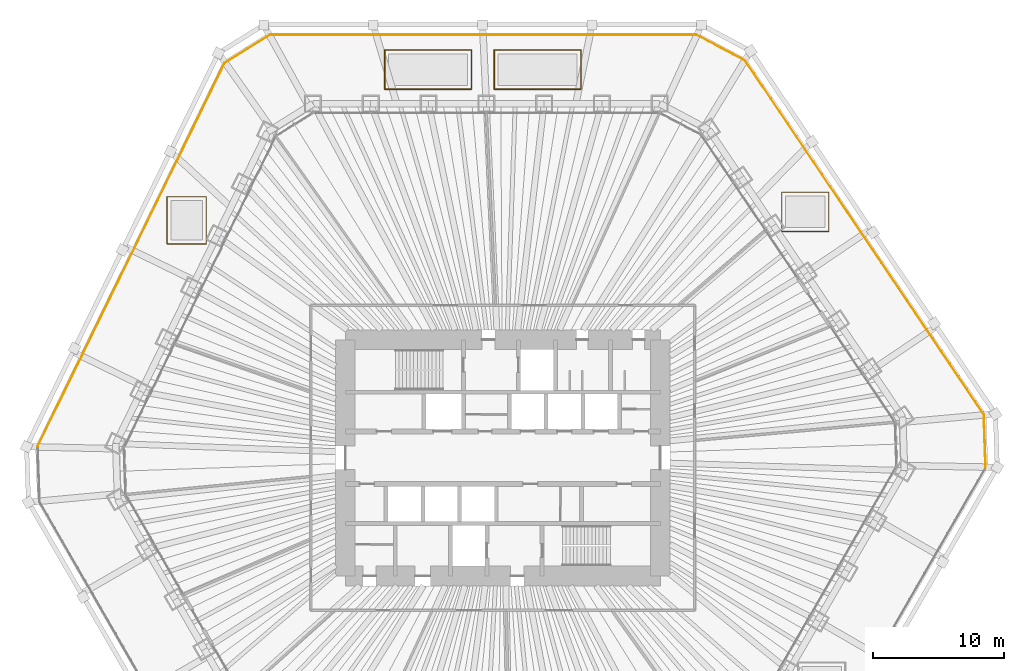
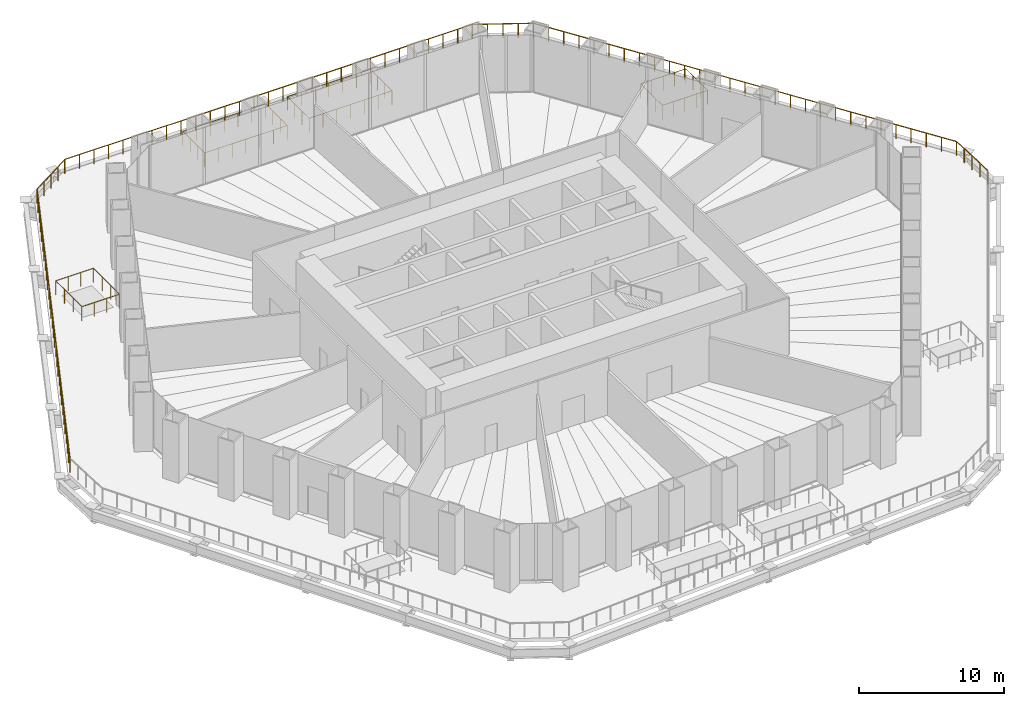
# One storey, part 19 of 20: 7 railings.
"""IFC4 building model written with IfcOpenShell, lengths in metres."""

from ifc_helpers import new_model, si_unit, direction, frame, origin, origin_2d, place, context, subcontext, project, spatial, circle, extrude, material, type_object, element, save


model = new_model("IFC4")

# Units and contexts
model_context = context("Model", 3, precision=1e-05, world=origin(), true_north=direction((0.0, 1.0)))
body_context = subcontext(model_context, "Body", "Model", "MODEL_VIEW")
ifc_project = project(units=[si_unit("LENGTHUNIT", "METRE"), si_unit("AREAUNIT", "SQUARE_METRE"), si_unit("VOLUMEUNIT", "CUBIC_METRE"), si_unit("PLANEANGLEUNIT", "RADIAN"), si_unit("MASSUNIT", "GRAM", prefix="KILO")], contexts=[model_context])

# Site, building, storey
site_placement = place(None, origin())
site = spatial("IfcSite", under=ifc_project, at=site_placement, CompositionType="ELEMENT")
building_placement = place(site_placement, origin())
building = spatial("IfcBuilding", under=site, at=building_placement, Name="Qingtian Harvest Tower", CompositionType="ELEMENT")
storey_placement = place(building_placement, frame((0.0, 0.0, 17.0)))
storey = spatial("IfcBuildingStorey", under=building, at=storey_placement, Name="L03", CompositionType="ELEMENT", Elevation=17.0)

# Railings
ifc_material_1 = material(Name="Bronze-finished steel guard", Category="steel")
railing_type_1 = type_object("IfcRailingType", Name="Rooflight guard GR3 1200", PredefinedType="GUARDRAIL", material=ifc_material_1)
railing_1_placement = place(storey_placement, frame((-9.0, 28.10009765625, 0.0)))
element("IfcRailing", 1, at=railing_1_placement, inside=storey, type_object=railing_type_1, Name="Rooflight guard GR3 N1", PredefinedType="GUARDRAIL", context=body_context, shape_type="SweptSolid", body=[
    extrude(circle(Radius=0.02392578125, at=origin_2d()), frame((0.0, 0.0, 1.17578125), z_axis=(1.0, 0.0, 0.0), x_axis=(0.0, 1.0, 0.0)), (0.0, 0.0, 1.0), 6.60009765625),
    extrude(circle(Radius=0.02392578125, at=origin_2d()), frame((6.60009765625, 0.0, 1.17578125), z_axis=(0.0, 1.0, 0.0), x_axis=(-1.0, 0.0, 0.0)), (0.0, 0.0, 1.0), 3.0),
    extrude(circle(Radius=0.02392578125, at=origin_2d()), frame((6.60009765625, 3.0, 1.17578125), z_axis=(-1.0, 0.0, 0.0), x_axis=(0.0, -1.0, 0.0)), (0.0, 0.0, 1.0), 6.60009765625),
    extrude(circle(Radius=0.02392578125, at=origin_2d()), frame((0.0, 3.0, 1.17578125), z_axis=(0.0, -1.0, 0.0), x_axis=(1.0, 0.0, 0.0)), (0.0, 0.0, 1.0), 3.0),
    extrude(circle(Radius=0.02099609375, at=origin_2d()), origin(), (0.0, 0.0, 1.0), 1.15185546875),
    extrude(circle(Radius=0.02099609375, at=origin_2d()), frame((1.10009765625, 0.0, 0.0)), (0.0, 0.0, 1.0), 1.15185546875),
    extrude(circle(Radius=0.02099609375, at=origin_2d()), frame((2.199951171875, 0.0, 0.0)), (0.0, 0.0, 1.0), 1.15185546875),
    extrude(circle(Radius=0.02099609375, at=origin_2d()), frame((3.300048828125, 0.0, 0.0)), (0.0, 0.0, 1.0), 1.15185546875),
    extrude(circle(Radius=0.02099609375, at=origin_2d()), frame((4.400146484375, 0.0, 0.0)), (0.0, 0.0, 1.0), 1.15185546875),
    extrude(circle(Radius=0.02099609375, at=origin_2d()), frame((5.5, 0.0, 0.0)), (0.0, 0.0, 1.0), 1.15185546875),
    extrude(circle(Radius=0.02099609375, at=origin_2d()), frame((6.60009765625, 0.0, 0.0)), (0.0, 0.0, 1.0), 1.15185546875),
    extrude(circle(Radius=0.02099609375, at=origin_2d()), frame((6.60009765625, 1.0, 0.0)), (0.0, 0.0, 1.0), 1.15185546875),
    extrude(circle(Radius=0.02099609375, at=origin_2d()), frame((6.60009765625, 2.0, 0.0)), (0.0, 0.0, 1.0), 1.15185546875),
    extrude(circle(Radius=0.02099609375, at=origin_2d()), frame((6.60009765625, 3.0, 0.0)), (0.0, 0.0, 1.0), 1.15185546875),
    extrude(circle(Radius=0.02099609375, at=origin_2d()), frame((5.5, 3.0, 0.0)), (0.0, 0.0, 1.0), 1.15185546875),
    extrude(circle(Radius=0.02099609375, at=origin_2d()), frame((4.400146484375, 3.0, 0.0)), (0.0, 0.0, 1.0), 1.15185546875),
    extrude(circle(Radius=0.02099609375, at=origin_2d()), frame((3.300048828125, 3.0, 0.0)), (0.0, 0.0, 1.0), 1.15185546875),
    extrude(circle(Radius=0.02099609375, at=origin_2d()), frame((2.199951171875, 3.0, 0.0)), (0.0, 0.0, 1.0), 1.15185546875),
    extrude(circle(Radius=0.02099609375, at=origin_2d()), frame((1.10009765625, 3.0, 0.0)), (0.0, 0.0, 1.0), 1.15185546875),
    extrude(circle(Radius=0.02099609375, at=origin_2d()), frame((0.0, 3.0, 0.0)), (0.0, 0.0, 1.0), 1.15185546875),
    extrude(circle(Radius=0.02099609375, at=origin_2d()), frame((0.0, 2.0, 0.0)), (0.0, 0.0, 1.0), 1.15185546875),
    extrude(circle(Radius=0.02099609375, at=origin_2d()), frame((0.0, 1.0, 0.0)), (0.0, 0.0, 1.0), 1.15185546875),
])
railing_2_placement = place(storey_placement, frame((-0.64990234375, 28.10009765625, 0.0)))
element("IfcRailing", 2, at=railing_2_placement, inside=storey, type_object=railing_type_1, Name="Rooflight guard GR3 N2", PredefinedType="GUARDRAIL", context=body_context, shape_type="SweptSolid", body=[
    extrude(circle(Radius=0.02392578125, at=origin_2d()), frame((0.0, 0.0, 1.17578125), z_axis=(1.0, 0.0, 0.0), x_axis=(0.0, 1.0, 0.0)), (0.0, 0.0, 1.0), 6.599853515625),
    extrude(circle(Radius=0.02392578125, at=origin_2d()), frame((6.599853515625, 0.0, 1.17578125), z_axis=(0.0, 1.0, 0.0), x_axis=(-1.0, 0.0, 0.0)), (0.0, 0.0, 1.0), 3.0),
    extrude(circle(Radius=0.02392578125, at=origin_2d()), frame((6.599853515625, 3.0, 1.17578125), z_axis=(-1.0, 0.0, 0.0), x_axis=(0.0, -1.0, 0.0)), (0.0, 0.0, 1.0), 6.599853515625),
    extrude(circle(Radius=0.02392578125, at=origin_2d()), frame((0.0, 3.0, 1.17578125), z_axis=(0.0, -1.0, 0.0), x_axis=(1.0, 0.0, 0.0)), (0.0, 0.0, 1.0), 3.0),
    extrude(circle(Radius=0.02099609375, at=origin_2d()), origin(), (0.0, 0.0, 1.0), 1.15185546875),
    extrude(circle(Radius=0.02099609375, at=origin_2d()), frame((1.10009765625, 0.0, 0.0)), (0.0, 0.0, 1.0), 1.15185546875),
    extrude(circle(Radius=0.02099609375, at=origin_2d()), frame((2.199951171875, 0.0, 0.0)), (0.0, 0.0, 1.0), 1.15185546875),
    extrude(circle(Radius=0.02099609375, at=origin_2d()), frame((3.2998046875, 0.0, 0.0)), (0.0, 0.0, 1.0), 1.15185546875),
    extrude(circle(Radius=0.02099609375, at=origin_2d()), frame((4.39990234375, 0.0, 0.0)), (0.0, 0.0, 1.0), 1.15185546875),
    extrude(circle(Radius=0.02099609375, at=origin_2d()), frame((5.5, 0.0, 0.0)), (0.0, 0.0, 1.0), 1.15185546875),
    extrude(circle(Radius=0.02099609375, at=origin_2d()), frame((6.599853515625, 0.0, 0.0)), (0.0, 0.0, 1.0), 1.15185546875),
    extrude(circle(Radius=0.02099609375, at=origin_2d()), frame((6.599853515625, 1.0, 0.0)), (0.0, 0.0, 1.0), 1.15185546875),
    extrude(circle(Radius=0.02099609375, at=origin_2d()), frame((6.599853515625, 2.0, 0.0)), (0.0, 0.0, 1.0), 1.15185546875),
    extrude(circle(Radius=0.02099609375, at=origin_2d()), frame((6.599853515625, 3.0, 0.0)), (0.0, 0.0, 1.0), 1.15185546875),
    extrude(circle(Radius=0.02099609375, at=origin_2d()), frame((5.5, 3.0, 0.0)), (0.0, 0.0, 1.0), 1.15185546875),
    extrude(circle(Radius=0.02099609375, at=origin_2d()), frame((4.39990234375, 3.0, 0.0)), (0.0, 0.0, 1.0), 1.15185546875),
    extrude(circle(Radius=0.02099609375, at=origin_2d()), frame((3.2998046875, 3.0, 0.0)), (0.0, 0.0, 1.0), 1.15185546875),
    extrude(circle(Radius=0.02099609375, at=origin_2d()), frame((2.199951171875, 3.0, 0.0)), (0.0, 0.0, 1.0), 1.15185546875),
    extrude(circle(Radius=0.02099609375, at=origin_2d()), frame((1.10009765625, 3.0, 0.0)), (0.0, 0.0, 1.0), 1.15185546875),
    extrude(circle(Radius=0.02099609375, at=origin_2d()), frame((0.0, 3.0, 0.0)), (0.0, 0.0, 1.0), 1.15185546875),
    extrude(circle(Radius=0.02099609375, at=origin_2d()), frame((0.0, 2.0, 0.0)), (0.0, 0.0, 1.0), 1.15185546875),
    extrude(circle(Radius=0.02099609375, at=origin_2d()), frame((0.0, 1.0, 0.0)), (0.0, 0.0, 1.0), 1.15185546875),
])
railing_3_placement = place(storey_placement, frame((21.25, 17.25, 0.0)))
element("IfcRailing", 3, at=railing_3_placement, inside=storey, type_object=railing_type_1, Name="Rooflight guard GR3 NE1", PredefinedType="GUARDRAIL", context=body_context, shape_type="SweptSolid", body=[
    extrude(circle(Radius=0.02392578125, at=origin_2d()), frame((0.0, 0.0, 1.17578125), z_axis=(1.0, 0.0, 0.0), x_axis=(0.0, 1.0, 0.0)), (0.0, 0.0, 1.0), 3.60009765625),
    extrude(circle(Radius=0.02392578125, at=origin_2d()), frame((3.60009765625, 0.0, 1.17578125), z_axis=(0.0, 1.0, 0.0), x_axis=(-1.0, 0.0, 0.0)), (0.0, 0.0, 1.0), 3.0),
    extrude(circle(Radius=0.02392578125, at=origin_2d()), frame((3.60009765625, 3.0, 1.17578125), z_axis=(-1.0, 0.0, 0.0), x_axis=(0.0, -1.0, 0.0)), (0.0, 0.0, 1.0), 3.60009765625),
    extrude(circle(Radius=0.02392578125, at=origin_2d()), frame((0.0, 3.0, 1.17578125), z_axis=(0.0, -1.0, 0.0), x_axis=(1.0, 0.0, 0.0)), (0.0, 0.0, 1.0), 3.0),
    extrude(circle(Radius=0.02099609375, at=origin_2d()), origin(), (0.0, 0.0, 1.0), 1.15185546875),
    extrude(circle(Radius=0.02099609375, at=origin_2d()), frame((0.89990234375, 0.0, 0.0)), (0.0, 0.0, 1.0), 1.15185546875),
    extrude(circle(Radius=0.02099609375, at=origin_2d()), frame((1.800048828125, 0.0, 0.0)), (0.0, 0.0, 1.0), 1.15185546875),
    extrude(circle(Radius=0.02099609375, at=origin_2d()), frame((2.7001953125, 0.0, 0.0)), (0.0, 0.0, 1.0), 1.15185546875),
    extrude(circle(Radius=0.02099609375, at=origin_2d()), frame((3.60009765625, 0.0, 0.0)), (0.0, 0.0, 1.0), 1.15185546875),
    extrude(circle(Radius=0.02099609375, at=origin_2d()), frame((3.60009765625, 1.0, 0.0)), (0.0, 0.0, 1.0), 1.15185546875),
    extrude(circle(Radius=0.02099609375, at=origin_2d()), frame((3.60009765625, 2.0, 0.0)), (0.0, 0.0, 1.0), 1.15185546875),
    extrude(circle(Radius=0.02099609375, at=origin_2d()), frame((3.60009765625, 3.0, 0.0)), (0.0, 0.0, 1.0), 1.15185546875),
    extrude(circle(Radius=0.02099609375, at=origin_2d()), frame((2.7001953125, 3.0, 0.0)), (0.0, 0.0, 1.0), 1.15185546875),
    extrude(circle(Radius=0.02099609375, at=origin_2d()), frame((1.800048828125, 3.0, 0.0)), (0.0, 0.0, 1.0), 1.15185546875),
    extrude(circle(Radius=0.02099609375, at=origin_2d()), frame((0.89990234375, 3.0, 0.0)), (0.0, 0.0, 1.0), 1.15185546875),
    extrude(circle(Radius=0.02099609375, at=origin_2d()), frame((0.0, 3.0, 0.0)), (0.0, 0.0, 1.0), 1.15185546875),
    extrude(circle(Radius=0.02099609375, at=origin_2d()), frame((0.0, 2.0, 0.0)), (0.0, 0.0, 1.0), 1.15185546875),
    extrude(circle(Radius=0.02099609375, at=origin_2d()), frame((0.0, 1.0, 0.0)), (0.0, 0.0, 1.0), 1.15185546875),
])
railing_4_placement = place(storey_placement, frame((-25.60009765625, 16.300048828125, 0.0)))
element("IfcRailing", 4, at=railing_4_placement, inside=storey, type_object=railing_type_1, Name="Rooflight guard GR3 NW2", PredefinedType="GUARDRAIL", context=body_context, shape_type="SweptSolid", body=[
    extrude(circle(Radius=0.02392578125, at=origin_2d()), frame((0.0, 0.0, 1.17578125), z_axis=(1.0, 0.0, 0.0), x_axis=(0.0, 1.0, 0.0)), (0.0, 0.0, 1.0), 3.0),
    extrude(circle(Radius=0.02392578125, at=origin_2d()), frame((3.0, 0.0, 1.17578125), z_axis=(0.0, 1.0, 0.0), x_axis=(-1.0, 0.0, 0.0)), (0.0, 0.0, 1.0), 3.599853515625),
    extrude(circle(Radius=0.02392578125, at=origin_2d()), frame((3.0, 3.599853515625, 1.17578125), z_axis=(-1.0, 0.0, 0.0), x_axis=(0.0, -1.0, 0.0)), (0.0, 0.0, 1.0), 3.0),
    extrude(circle(Radius=0.02392578125, at=origin_2d()), frame((0.0, 3.599853515625, 1.17578125), z_axis=(0.0, -1.0, 0.0), x_axis=(1.0, 0.0, 0.0)), (0.0, 0.0, 1.0), 3.599853515625),
    extrude(circle(Radius=0.02099609375, at=origin_2d()), origin(), (0.0, 0.0, 1.0), 1.15185546875),
    extrude(circle(Radius=0.02099609375, at=origin_2d()), frame((1.0, 0.0, 0.0)), (0.0, 0.0, 1.0), 1.15185546875),
    extrude(circle(Radius=0.02099609375, at=origin_2d()), frame((2.0, 0.0, 0.0)), (0.0, 0.0, 1.0), 1.15185546875),
    extrude(circle(Radius=0.02099609375, at=origin_2d()), frame((3.0, 0.0, 0.0)), (0.0, 0.0, 1.0), 1.15185546875),
    extrude(circle(Radius=0.02099609375, at=origin_2d()), frame((3.0, 1.199951171875, 0.0)), (0.0, 0.0, 1.0), 1.15185546875),
    extrude(circle(Radius=0.02099609375, at=origin_2d()), frame((3.0, 2.39990234375, 0.0)), (0.0, 0.0, 1.0), 1.15185546875),
    extrude(circle(Radius=0.02099609375, at=origin_2d()), frame((3.0, 3.599853515625, 0.0)), (0.0, 0.0, 1.0), 1.15185546875),
    extrude(circle(Radius=0.02099609375, at=origin_2d()), frame((2.0, 3.599853515625, 0.0)), (0.0, 0.0, 1.0), 1.15185546875),
    extrude(circle(Radius=0.02099609375, at=origin_2d()), frame((1.0, 3.599853515625, 0.0)), (0.0, 0.0, 1.0), 1.15185546875),
    extrude(circle(Radius=0.02099609375, at=origin_2d()), frame((0.0, 3.599853515625, 0.0)), (0.0, 0.0, 1.0), 1.15185546875),
    extrude(circle(Radius=0.02099609375, at=origin_2d()), frame((0.0, 2.39990234375, 0.0)), (0.0, 0.0, 1.0), 1.15185546875),
    extrude(circle(Radius=0.02099609375, at=origin_2d()), frame((0.0, 1.199951171875, 0.0)), (0.0, 0.0, 1.0), 1.15185546875),
])
ifc_material_2 = material(Name="Bronze-finished steel guard", Category="steel")
railing_type_2 = type_object("IfcRailingType", Name="Terrace guard GR2 1200", PredefinedType="GUARDRAIL", material=ifc_material_2)
railing_5_placement = place(storey_placement, frame((-17.751953125, 32.25, 0.0)))
element("IfcRailing", 5, at=railing_5_placement, inside=storey, type_object=railing_type_2, Name="Terrace guard GR2 N", PredefinedType="GUARDRAIL", context=body_context, shape_type="SweptSolid", body=[
    extrude(circle(Radius=0.02392578125, at=origin_2d()), frame((0.0, 0.0, 1.17578125), z_axis=(1.0, 0.0, 0.0), x_axis=(0.0, 1.0, 0.0)), (0.0, 0.0, 1.0), 32.49951171875),
    extrude(circle(Radius=0.02392578125, at=origin_2d()), frame((32.49951171875, 0.0, 1.17578125), z_axis=(0.882948599748, -0.469469669099, 0.0), x_axis=(0.469469669099, 0.882948599748, 0.0)), (0.0, 0.0, 1.0), 4.23828125),
    extrude(circle(Radius=0.02099609375, at=origin_2d()), origin(), (0.0, 0.0, 1.0), 1.15185546875),
    extrude(circle(Radius=0.02099609375, at=origin_2d()), frame((1.16064453125, 0.0, 0.0)), (0.0, 0.0, 1.0), 1.15185546875),
    extrude(circle(Radius=0.02099609375, at=origin_2d()), frame((2.3212890625, 0.0, 0.0)), (0.0, 0.0, 1.0), 1.15185546875),
    extrude(circle(Radius=0.02099609375, at=origin_2d()), frame((3.482177734375, 0.0, 0.0)), (0.0, 0.0, 1.0), 1.15185546875),
    extrude(circle(Radius=0.02099609375, at=origin_2d()), frame((4.642822265625, 0.0, 0.0)), (0.0, 0.0, 1.0), 1.15185546875),
    extrude(circle(Radius=0.02099609375, at=origin_2d()), frame((5.803466796875, 0.0, 0.0)), (0.0, 0.0, 1.0), 1.15185546875),
    extrude(circle(Radius=0.02099609375, at=origin_2d()), frame((6.964111328125, 0.0, 0.0)), (0.0, 0.0, 1.0), 1.15185546875),
    extrude(circle(Radius=0.02099609375, at=origin_2d()), frame((8.125, 0.0, 0.0)), (0.0, 0.0, 1.0), 1.15185546875),
    extrude(circle(Radius=0.02099609375, at=origin_2d()), frame((9.28564453125, 0.0, 0.0)), (0.0, 0.0, 1.0), 1.15185546875),
    extrude(circle(Radius=0.02099609375, at=origin_2d()), frame((10.4462890625, 0.0, 0.0)), (0.0, 0.0, 1.0), 1.15185546875),
    extrude(circle(Radius=0.02099609375, at=origin_2d()), frame((11.60693359375, 0.0, 0.0)), (0.0, 0.0, 1.0), 1.15185546875),
    extrude(circle(Radius=0.02099609375, at=origin_2d()), frame((12.767578125, 0.0, 0.0)), (0.0, 0.0, 1.0), 1.15185546875),
    extrude(circle(Radius=0.02099609375, at=origin_2d()), frame((13.928466796875, 0.0, 0.0)), (0.0, 0.0, 1.0), 1.15185546875),
    extrude(circle(Radius=0.02099609375, at=origin_2d()), frame((15.089111328125, 0.0, 0.0)), (0.0, 0.0, 1.0), 1.15185546875),
    extrude(circle(Radius=0.02099609375, at=origin_2d()), frame((16.249755859375, 0.0, 0.0)), (0.0, 0.0, 1.0), 1.15185546875),
    extrude(circle(Radius=0.02099609375, at=origin_2d()), frame((17.410400390625, 0.0, 0.0)), (0.0, 0.0, 1.0), 1.15185546875),
    extrude(circle(Radius=0.02099609375, at=origin_2d()), frame((18.571044921875, 0.0, 0.0)), (0.0, 0.0, 1.0), 1.15185546875),
    extrude(circle(Radius=0.02099609375, at=origin_2d()), frame((19.73193359375, 0.0, 0.0)), (0.0, 0.0, 1.0), 1.15185546875),
    extrude(circle(Radius=0.02099609375, at=origin_2d()), frame((20.892578125, 0.0, 0.0)), (0.0, 0.0, 1.0), 1.15185546875),
    extrude(circle(Radius=0.02099609375, at=origin_2d()), frame((22.05322265625, 0.0, 0.0)), (0.0, 0.0, 1.0), 1.15185546875),
    extrude(circle(Radius=0.02099609375, at=origin_2d()), frame((23.2138671875, 0.0, 0.0)), (0.0, 0.0, 1.0), 1.15185546875),
    extrude(circle(Radius=0.02099609375, at=origin_2d()), frame((24.37451171875, 0.0, 0.0)), (0.0, 0.0, 1.0), 1.15185546875),
    extrude(circle(Radius=0.02099609375, at=origin_2d()), frame((25.535400390625, 0.0, 0.0)), (0.0, 0.0, 1.0), 1.15185546875),
    extrude(circle(Radius=0.02099609375, at=origin_2d()), frame((26.696044921875, 0.0, 0.0)), (0.0, 0.0, 1.0), 1.15185546875),
    extrude(circle(Radius=0.02099609375, at=origin_2d()), frame((27.856689453125, 0.0, 0.0)), (0.0, 0.0, 1.0), 1.15185546875),
    extrude(circle(Radius=0.02099609375, at=origin_2d()), frame((29.017333984375, 0.0, 0.0)), (0.0, 0.0, 1.0), 1.15185546875),
    extrude(circle(Radius=0.02099609375, at=origin_2d()), frame((30.17822265625, 0.0, 0.0)), (0.0, 0.0, 1.0), 1.15185546875),
    extrude(circle(Radius=0.02099609375, at=origin_2d()), frame((31.3388671875, 0.0, 0.0)), (0.0, 0.0, 1.0), 1.15185546875),
    extrude(circle(Radius=0.02099609375, at=origin_2d()), frame((32.49951171875, 0.0, 0.0)), (0.0, 0.0, 1.0), 1.15185546875),
    extrude(circle(Radius=0.02099609375, at=origin_2d()), frame((33.43505859375, -0.49755859375, 0.0)), (0.0, 0.0, 1.0), 1.15185546875),
    extrude(circle(Radius=0.02099609375, at=origin_2d()), frame((34.37060546875, -0.994873046875, 0.0)), (0.0, 0.0, 1.0), 1.15185546875),
    extrude(circle(Radius=0.02099609375, at=origin_2d()), frame((35.30615234375, -1.4921875, 0.0)), (0.0, 0.0, 1.0), 1.15185546875),
    extrude(circle(Radius=0.02099609375, at=origin_2d()), frame((36.24169921875, -1.98974609375, 0.0)), (0.0, 0.0, 1.0), 1.15185546875),
])
railing_6_placement = place(storey_placement, frame((18.48974609375, 30.26025390625, 0.0)))
element("IfcRailing", 6, at=railing_6_placement, inside=storey, type_object=railing_type_2, Name="Terrace guard GR2 NE", PredefinedType="GUARDRAIL", context=body_context, shape_type="SweptSolid", body=[
    extrude(circle(Radius=0.02392578125, at=origin_2d()), frame((0.0, 0.0, 1.17578125), z_axis=(0.559194143034, -0.829036736458, 0.0), x_axis=(0.829036736458, 0.559194143034, 0.0)), (0.0, 0.0, 1.0), 32.49951171875),
    extrude(circle(Radius=0.02392578125, at=origin_2d()), frame((18.173583984375, -26.943359375, 1.17578125), z_axis=(0.03490639867, -0.999390585973, 0.0), x_axis=(0.999390585973, 0.03490639867, 0.0)), (0.0, 0.0, 1.0), 4.070556640625),
    extrude(circle(Radius=0.02099609375, at=origin_2d()), origin(), (0.0, 0.0, 1.0), 1.15185546875),
    extrude(circle(Radius=0.02099609375, at=origin_2d()), frame((0.649169921875, -0.962158203125, 0.0)), (0.0, 0.0, 1.0), 1.15185546875),
    extrude(circle(Radius=0.02099609375, at=origin_2d()), frame((1.298095703125, -1.924560546875, 0.0)), (0.0, 0.0, 1.0), 1.15185546875),
    extrude(circle(Radius=0.02099609375, at=origin_2d()), frame((1.947265625, -2.88671875, 0.0)), (0.0, 0.0, 1.0), 1.15185546875),
    extrude(circle(Radius=0.02099609375, at=origin_2d()), frame((2.59619140625, -3.84912109375, 0.0)), (0.0, 0.0, 1.0), 1.15185546875),
    extrude(circle(Radius=0.02099609375, at=origin_2d()), frame((3.245361328125, -4.811279296875, 0.0)), (0.0, 0.0, 1.0), 1.15185546875),
    extrude(circle(Radius=0.02099609375, at=origin_2d()), frame((3.894287109375, -5.773681640625, 0.0)), (0.0, 0.0, 1.0), 1.15185546875),
    extrude(circle(Radius=0.02099609375, at=origin_2d()), frame((4.54345703125, -6.73583984375, 0.0)), (0.0, 0.0, 1.0), 1.15185546875),
    extrude(circle(Radius=0.02099609375, at=origin_2d()), frame((5.1923828125, -7.697998046875, 0.0)), (0.0, 0.0, 1.0), 1.15185546875),
    extrude(circle(Radius=0.02099609375, at=origin_2d()), frame((5.841552734375, -8.660400390625, 0.0)), (0.0, 0.0, 1.0), 1.15185546875),
    extrude(circle(Radius=0.02099609375, at=origin_2d()), frame((6.490478515625, -9.62255859375, 0.0)), (0.0, 0.0, 1.0), 1.15185546875),
    extrude(circle(Radius=0.02099609375, at=origin_2d()), frame((7.1396484375, -10.5849609375, 0.0)), (0.0, 0.0, 1.0), 1.15185546875),
    extrude(circle(Radius=0.02099609375, at=origin_2d()), frame((7.78857421875, -11.547119140625, 0.0)), (0.0, 0.0, 1.0), 1.15185546875),
    extrude(circle(Radius=0.02099609375, at=origin_2d()), frame((8.437744140625, -12.509521484375, 0.0)), (0.0, 0.0, 1.0), 1.15185546875),
    extrude(circle(Radius=0.02099609375, at=origin_2d()), frame((9.0869140625, -13.4716796875, 0.0)), (0.0, 0.0, 1.0), 1.15185546875),
    extrude(circle(Radius=0.02099609375, at=origin_2d()), frame((9.73583984375, -14.433837890625, 0.0)), (0.0, 0.0, 1.0), 1.15185546875),
    extrude(circle(Radius=0.02099609375, at=origin_2d()), frame((10.385009765625, -15.396240234375, 0.0)), (0.0, 0.0, 1.0), 1.15185546875),
    extrude(circle(Radius=0.02099609375, at=origin_2d()), frame((11.033935546875, -16.3583984375, 0.0)), (0.0, 0.0, 1.0), 1.15185546875),
    extrude(circle(Radius=0.02099609375, at=origin_2d()), frame((11.68310546875, -17.32080078125, 0.0)), (0.0, 0.0, 1.0), 1.15185546875),
    extrude(circle(Radius=0.02099609375, at=origin_2d()), frame((12.33203125, -18.282958984375, 0.0)), (0.0, 0.0, 1.0), 1.15185546875),
    extrude(circle(Radius=0.02099609375, at=origin_2d()), frame((12.981201171875, -19.245361328125, 0.0)), (0.0, 0.0, 1.0), 1.15185546875),
    extrude(circle(Radius=0.02099609375, at=origin_2d()), frame((13.630126953125, -20.20751953125, 0.0)), (0.0, 0.0, 1.0), 1.15185546875),
    extrude(circle(Radius=0.02099609375, at=origin_2d()), frame((14.279296875, -21.169677734375, 0.0)), (0.0, 0.0, 1.0), 1.15185546875),
    extrude(circle(Radius=0.02099609375, at=origin_2d()), frame((14.92822265625, -22.132080078125, 0.0)), (0.0, 0.0, 1.0), 1.15185546875),
    extrude(circle(Radius=0.02099609375, at=origin_2d()), frame((15.577392578125, -23.09423828125, 0.0)), (0.0, 0.0, 1.0), 1.15185546875),
    extrude(circle(Radius=0.02099609375, at=origin_2d()), frame((16.226318359375, -24.056640625, 0.0)), (0.0, 0.0, 1.0), 1.15185546875),
    extrude(circle(Radius=0.02099609375, at=origin_2d()), frame((16.87548828125, -25.018798828125, 0.0)), (0.0, 0.0, 1.0), 1.15185546875),
    extrude(circle(Radius=0.02099609375, at=origin_2d()), frame((17.5244140625, -25.981201171875, 0.0)), (0.0, 0.0, 1.0), 1.15185546875),
    extrude(circle(Radius=0.02099609375, at=origin_2d()), frame((18.173583984375, -26.943359375, 0.0)), (0.0, 0.0, 1.0), 1.15185546875),
    extrude(circle(Radius=0.02099609375, at=origin_2d()), frame((18.208984375, -27.96044921875, 0.0)), (0.0, 0.0, 1.0), 1.15185546875),
    extrude(circle(Radius=0.02099609375, at=origin_2d()), frame((18.24462890625, -28.9775390625, 0.0)), (0.0, 0.0, 1.0), 1.15185546875),
    extrude(circle(Radius=0.02099609375, at=origin_2d()), frame((18.2802734375, -29.994384765625, 0.0)), (0.0, 0.0, 1.0), 1.15185546875),
    extrude(circle(Radius=0.02099609375, at=origin_2d()), frame((18.315673828125, -31.011474609375, 0.0)), (0.0, 0.0, 1.0), 1.15185546875),
])
railing_7_placement = place(storey_placement, frame((-35.450927734375, 0.88232421875, 0.0)))
element("IfcRailing", 7, at=railing_7_placement, inside=storey, type_object=railing_type_2, Name="Terrace guard GR2 NW", PredefinedType="GUARDRAIL", context=body_context, shape_type="SweptSolid", body=[
    extrude(circle(Radius=0.02392578125, at=origin_2d()), frame((0.0, 0.0, 1.17578125), z_axis=(0.438369609684, 0.898794795994, 0.0), x_axis=(-0.898794795994, 0.438369609684, 0.0)), (0.0, 0.0, 1.0), 32.49951171875),
    extrude(circle(Radius=0.02392578125, at=origin_2d()), frame((14.246826171875, 29.21044921875, 1.17578125), z_axis=(0.848038733752, 0.529934246919, 0.0), x_axis=(-0.529934246919, 0.848038733752, 0.0)), (0.0, 0.0, 1.0), 4.07080078125),
    extrude(circle(Radius=0.02099609375, at=origin_2d()), origin(), (0.0, 0.0, 1.0), 1.15185546875),
    extrude(circle(Radius=0.02099609375, at=origin_2d()), frame((0.5087890625, 1.043212890625, 0.0)), (0.0, 0.0, 1.0), 1.15185546875),
    extrude(circle(Radius=0.02099609375, at=origin_2d()), frame((1.017578125, 2.08642578125, 0.0)), (0.0, 0.0, 1.0), 1.15185546875),
    extrude(circle(Radius=0.02099609375, at=origin_2d()), frame((1.5263671875, 3.129638671875, 0.0)), (0.0, 0.0, 1.0), 1.15185546875),
    extrude(circle(Radius=0.02099609375, at=origin_2d()), frame((2.03515625, 4.1728515625, 0.0)), (0.0, 0.0, 1.0), 1.15185546875),
    extrude(circle(Radius=0.02099609375, at=origin_2d()), frame((2.544189453125, 5.216064453125, 0.0)), (0.0, 0.0, 1.0), 1.15185546875),
    extrude(circle(Radius=0.02099609375, at=origin_2d()), frame((3.052978515625, 6.25927734375, 0.0)), (0.0, 0.0, 1.0), 1.15185546875),
    extrude(circle(Radius=0.02099609375, at=origin_2d()), frame((3.561767578125, 7.302734375, 0.0)), (0.0, 0.0, 1.0), 1.15185546875),
    extrude(circle(Radius=0.02099609375, at=origin_2d()), frame((4.070556640625, 8.345947265625, 0.0)), (0.0, 0.0, 1.0), 1.15185546875),
    extrude(circle(Radius=0.02099609375, at=origin_2d()), frame((4.579345703125, 9.38916015625, 0.0)), (0.0, 0.0, 1.0), 1.15185546875),
    extrude(circle(Radius=0.02099609375, at=origin_2d()), frame((5.088134765625, 10.432373046875, 0.0)), (0.0, 0.0, 1.0), 1.15185546875),
    extrude(circle(Radius=0.02099609375, at=origin_2d()), frame((5.596923828125, 11.4755859375, 0.0)), (0.0, 0.0, 1.0), 1.15185546875),
    extrude(circle(Radius=0.02099609375, at=origin_2d()), frame((6.105712890625, 12.518798828125, 0.0)), (0.0, 0.0, 1.0), 1.15185546875),
    extrude(circle(Radius=0.02099609375, at=origin_2d()), frame((6.614501953125, 13.56201171875, 0.0)), (0.0, 0.0, 1.0), 1.15185546875),
    extrude(circle(Radius=0.02099609375, at=origin_2d()), frame((7.12353515625, 14.605224609375, 0.0)), (0.0, 0.0, 1.0), 1.15185546875),
    extrude(circle(Radius=0.02099609375, at=origin_2d()), frame((7.63232421875, 15.6484375, 0.0)), (0.0, 0.0, 1.0), 1.15185546875),
    extrude(circle(Radius=0.02099609375, at=origin_2d()), frame((8.14111328125, 16.691650390625, 0.0)), (0.0, 0.0, 1.0), 1.15185546875),
    extrude(circle(Radius=0.02099609375, at=origin_2d()), frame((8.64990234375, 17.73486328125, 0.0)), (0.0, 0.0, 1.0), 1.15185546875),
    extrude(circle(Radius=0.02099609375, at=origin_2d()), frame((9.15869140625, 18.778076171875, 0.0)), (0.0, 0.0, 1.0), 1.15185546875),
    extrude(circle(Radius=0.02099609375, at=origin_2d()), frame((9.66748046875, 19.8212890625, 0.0)), (0.0, 0.0, 1.0), 1.15185546875),
    extrude(circle(Radius=0.02099609375, at=origin_2d()), frame((10.17626953125, 20.864501953125, 0.0)), (0.0, 0.0, 1.0), 1.15185546875),
    extrude(circle(Radius=0.02099609375, at=origin_2d()), frame((10.68505859375, 21.90771484375, 0.0)), (0.0, 0.0, 1.0), 1.15185546875),
    extrude(circle(Radius=0.02099609375, at=origin_2d()), frame((11.19384765625, 22.951171875, 0.0)), (0.0, 0.0, 1.0), 1.15185546875),
    extrude(circle(Radius=0.02099609375, at=origin_2d()), frame((11.70263671875, 23.994384765625, 0.0)), (0.0, 0.0, 1.0), 1.15185546875),
    extrude(circle(Radius=0.02099609375, at=origin_2d()), frame((12.211669921875, 25.03759765625, 0.0)), (0.0, 0.0, 1.0), 1.15185546875),
    extrude(circle(Radius=0.02099609375, at=origin_2d()), frame((12.720458984375, 26.080810546875, 0.0)), (0.0, 0.0, 1.0), 1.15185546875),
    extrude(circle(Radius=0.02099609375, at=origin_2d()), frame((13.229248046875, 27.1240234375, 0.0)), (0.0, 0.0, 1.0), 1.15185546875),
    extrude(circle(Radius=0.02099609375, at=origin_2d()), frame((13.738037109375, 28.167236328125, 0.0)), (0.0, 0.0, 1.0), 1.15185546875),
    extrude(circle(Radius=0.02099609375, at=origin_2d()), frame((14.246826171875, 29.21044921875, 0.0)), (0.0, 0.0, 1.0), 1.15185546875),
    extrude(circle(Radius=0.02099609375, at=origin_2d()), frame((15.10986328125, 29.749755859375, 0.0)), (0.0, 0.0, 1.0), 1.15185546875),
    extrude(circle(Radius=0.02099609375, at=origin_2d()), frame((15.972900390625, 30.2890625, 0.0)), (0.0, 0.0, 1.0), 1.15185546875),
    extrude(circle(Radius=0.02099609375, at=origin_2d()), frame((16.8359375, 30.828369140625, 0.0)), (0.0, 0.0, 1.0), 1.15185546875),
    extrude(circle(Radius=0.02099609375, at=origin_2d()), frame((17.698974609375, 31.36767578125, 0.0)), (0.0, 0.0, 1.0), 1.15185546875),
])

save(model, "model.ifc")
